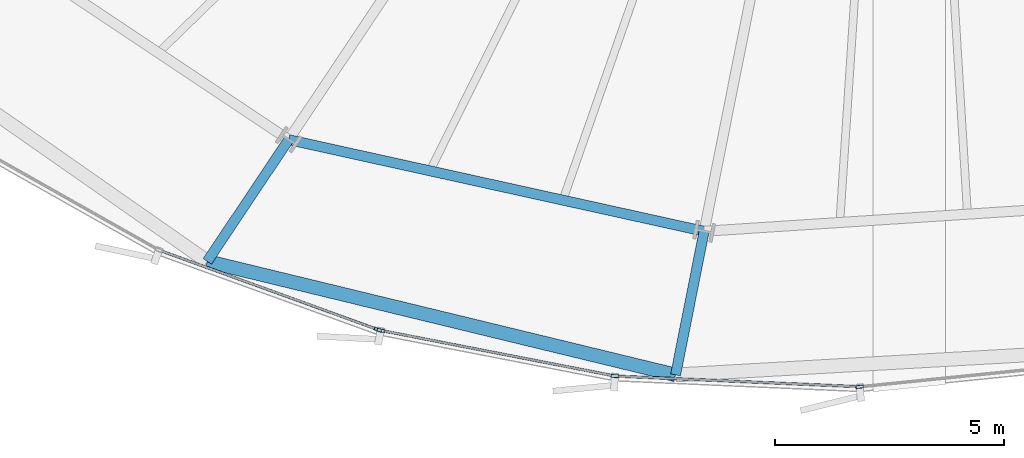
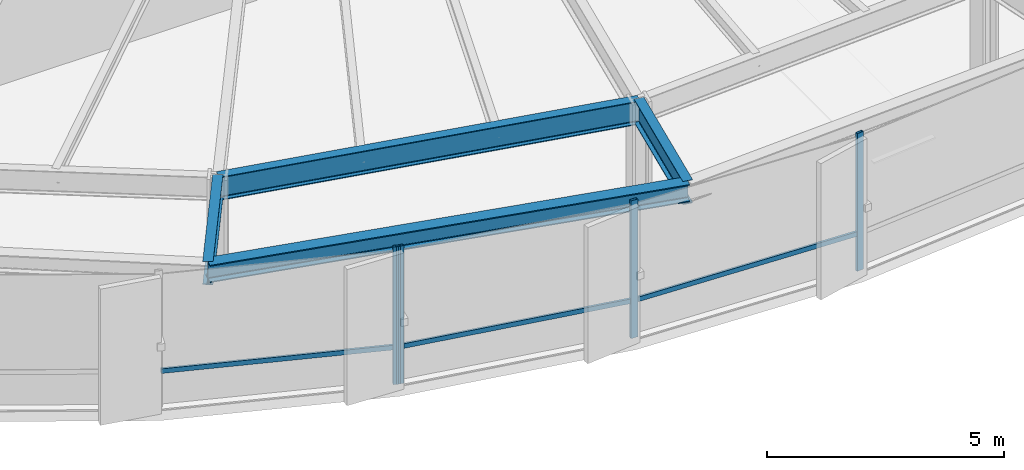
# One storey, part 4 of 35: 7 members, 4 beams, 2 elements without a shape of their own.
"""IFC4 building model written with IfcOpenShell, lengths in metres."""

from ifc_helpers import new_model, si_unit, direction, frame, origin, origin_2d, place, context, subcontext, project, spatial, hollow_rectangle, i_section, extrude, source, transform, mapped, material, layer, layer_set, material_profile, profile_set, type_object, element, aggregate, save


model = new_model("IFC4")

# Units and contexts
model_context = context("Model", 3, precision=1e-05, world=origin(), true_north=direction((0.0, 1.0)))
body_context = subcontext(model_context, "Body", "Model", "MODEL_VIEW")
ifc_project = project(units=[si_unit("LENGTHUNIT", "METRE"), si_unit("AREAUNIT", "SQUARE_METRE"), si_unit("VOLUMEUNIT", "CUBIC_METRE"), si_unit("PLANEANGLEUNIT", "RADIAN"), si_unit("MASSUNIT", "GRAM", prefix="KILO"), si_unit("THERMODYNAMICTEMPERATUREUNIT", "KELVIN")], contexts=[model_context])

# Site, building, storey
site_placement = place(None, origin())
site = spatial("IfcSite", under=ifc_project, at=site_placement, CompositionType="ELEMENT")
building_placement = place(site_placement, origin())
building = spatial("IfcBuilding", under=site, at=building_placement, Name="Kethvar Cultural Tower", CompositionType="ELEMENT")
storey_placement = place(building_placement, frame((0.0, 0.0, 71.39990234375)))
storey = spatial("IfcBuildingStorey", under=building, at=storey_placement, Name="L17", CompositionType="ELEMENT", Elevation=71.39990234375)

# Beams
ifc_material_1 = material(Name="Steel S355J2", Category="steel")
ifc_material_profile_1 = material_profile(ifc_material_1, i_section(OverallWidth=0.219970703125, OverallDepth=0.60009765625, WebThickness=0.011962890625, FlangeThickness=0.01904296875, FilletRadius=0.02392578125, at=origin_2d()), Name="Steel S355J2 — IPE600")
ifc_profile_set_1 = profile_set([ifc_material_profile_1], Name="Steel S355J2 — IPE600")
beam_type_1 = type_object("IfcBeamType", Name="BM-IPE600", PredefinedType="BEAM", material=ifc_profile_set_1)
shared_shape_1 = source(origin(), body_context, "Body", "SweptSolid", [
    extrude(i_section(OverallWidth=0.219970703125, OverallDepth=0.60009765625, WebThickness=0.011962890625, FlangeThickness=0.01904296875, FilletRadius=0.02392578125, at=origin_2d()), origin(), (0.0, 0.0, 1.0), 3.2001953125),
])
beam_1_placement = place(storey_placement, frame((42.38330078125, 5.59619140625, 3.238037109375), z_axis=(-0.195074368086, -0.980788453702, 0.0), x_axis=(0.980788453702, -0.195074368086, 0.0)))
element("IfcBeam", 1, at=beam_1_placement, inside=storey, type_object=beam_type_1, Name="L17 Perimeter Cantilever Beam RC-12", PredefinedType="BEAM", context=body_context, shape_type="MappedRepresentation", body=[
    mapped(shared_shape_1, transform((0.0, 0.0, 0.0), scale=1.0)),
])
shared_shape_2 = source(origin(), body_context, "Body", "SweptSolid", [
    extrude(i_section(OverallWidth=0.219970703125, OverallDepth=0.60009765625, WebThickness=0.011962890625, FlangeThickness=0.01904296875, FilletRadius=0.02392578125, at=origin_2d()), origin(), (0.0, 0.0, 1.0), 3.199951171875),
])
beam_2_placement = place(storey_placement, frame((33.302001953125, 7.598876953125, 3.238037109375), z_axis=(-0.555580212716, -0.831462943996, 0.0), x_axis=(0.831462943996, -0.555580212716, 0.0)))
element("IfcBeam", 2, at=beam_2_placement, inside=storey, type_object=beam_type_1, Name="L17 Perimeter Cantilever Beam RC-11", PredefinedType="BEAM", context=body_context, shape_type="MappedRepresentation", body=[
    mapped(shared_shape_2, transform((0.0, 0.0, 0.0), scale=1.0)),
])
shared_shape_3 = source(origin(), body_context, "Body", "SweptSolid", [
    extrude(i_section(OverallWidth=0.219970703125, OverallDepth=0.60009765625, WebThickness=0.011962890625, FlangeThickness=0.01904296875, FilletRadius=0.02392578125, at=origin_2d()), origin(), (0.0, 0.0, 1.0), 9.299560546875),
])
beam_3_placement = place(storey_placement, frame((33.302001953125, 7.598876953125, 3.238037109375), z_axis=(0.976536034872, -0.21535406334, 0.0), x_axis=(0.21535406334, 0.976536034872, 0.0)))
element("IfcBeam", 3, at=beam_3_placement, inside=storey, type_object=beam_type_1, Name="L17 Column Ring Tie Beam CR-11", PredefinedType="BEAM", context=body_context, shape_type="MappedRepresentation", body=[
    mapped(shared_shape_3, transform((0.0, 0.0, 0.0), scale=1.0)),
])
ifc_material_profile_2 = material_profile(ifc_material_1, i_section(OverallWidth=0.300048828125, OverallDepth=0.449951171875, WebThickness=0.013916015625, FlangeThickness=0.02587890625, FilletRadius=0.027099609375, at=origin_2d()), Name="Steel S355J2 — HEB450")
ifc_profile_set_2 = profile_set([ifc_material_profile_2], Name="Steel S355J2 — HEB450")
beam_type_2 = type_object("IfcBeamType", Name="BM-SP450", PredefinedType="SPANDREL", material=ifc_profile_set_2)
shared_shape_4 = source(origin(), body_context, "Body", "SweptSolid", [
    extrude(i_section(OverallWidth=0.300048828125, OverallDepth=0.449951171875, WebThickness=0.013916015625, FlangeThickness=0.02587890625, FilletRadius=0.027099609375, at=origin_2d()), origin(), (0.0, 0.0, 1.0), 10.53125),
])
beam_4_placement = place(storey_placement, frame((31.524169921875, 4.938232421875, 3.31298828125), z_axis=(0.971860238373, -0.235558224372, 0.0), x_axis=(0.235558224372, 0.971860238373, 0.0)))
element("IfcBeam", 4, at=beam_4_placement, inside=storey, type_object=beam_type_2, Name="L17 Perimeter Spandrel Beam SP-11", PredefinedType="SPANDREL", context=body_context, shape_type="MappedRepresentation", body=[
    mapped(shared_shape_4, transform((0.0, 0.0, 0.0), scale=1.0)),
])

# Curtain wall, member
ifc_material_2 = material(Name="Aluminium 6063-T6", Category="aluminium")
ifc_layer = layer(ifc_material_2, 0.179931640625, Name="Aluminium 6063-T6", Category="aluminium")
ifc_layer_set = layer_set([ifc_layer], Name="Aluminium 6063-T6 (180 mm)")
curtain_wall_type = type_object("IfcCurtainWallType", Name="CW-SYS-02-Z1", PredefinedType="NOTDEFINED", material=ifc_layer_set)
curtain_wall_1_placement = place(storey_placement, origin())
curtain_wall_1 = element("IfcCurtainWall", 5, at=curtain_wall_1_placement, inside=storey, type_object=curtain_wall_type, Name="L17 Curtain Wall Run 04", PredefinedType="NOTDEFINED")
ifc_material_profile_3 = material_profile(ifc_material_2, hollow_rectangle(XDim=0.06494140625, YDim=0.159912109375, WallThickness=0.0048828125, at=origin_2d()), Name="Aluminium 6063-T6 — RHS160x65x5")
ifc_profile_set_3 = profile_set([ifc_material_profile_3], Name="Aluminium 6063-T6 — RHS160x65x5")
member_type_1 = type_object("IfcMemberType", Name="CW-SYS-02-Z1-MUL", PredefinedType="MULLION", material=ifc_profile_set_3)
shared_shape_5 = source(origin(), body_context, "Body", "SweptSolid", [
    extrude(hollow_rectangle(XDim=0.06494140625, YDim=0.159912109375, WallThickness=0.0048828125, at=origin_2d()), origin(), (0.0, 0.0, 1.0), 3.5400390625),
])
member_1_placement = place(storey_placement, frame((35.25244140625, 3.447021484375, 0.0), z_axis=(0.0, 0.0, 1.0), x_axis=(0.341298410417, 0.939954996288, 0.0)))
member_1 = element("IfcMember", 6, at=member_1_placement, type_object=member_type_1, Name="CW-L17-R04 Mullion 7", PredefinedType="MULLION", context=body_context, shape_type="MappedRepresentation", body=[
    mapped(shared_shape_5, transform((0.0, 0.0, 0.0), scale=1.0)),
])

# Curtain wall, members
curtain_wall_2_placement = place(storey_placement, origin())
curtain_wall_2 = element("IfcCurtainWall", 7, at=curtain_wall_2_placement, inside=storey, type_object=curtain_wall_type, Name="L17 Curtain Wall Run 05", PredefinedType="NOTDEFINED")
member_2_placement = place(storey_placement, frame((35.315673828125, 3.4296875, 0.0), z_axis=(0.0, 0.0, 1.0), x_axis=(0.19113450478, 0.981563854817, 0.0)))
member_2 = element("IfcMember", 8, at=member_2_placement, type_object=member_type_1, Name="CW-L17-R05 Mullion 1", PredefinedType="MULLION", context=body_context, shape_type="MappedRepresentation", body=[
    mapped(shared_shape_5, transform((0.0, 0.0, 0.0), scale=1.0)),
])
member_3_placement = place(storey_placement, frame((40.43115234375, 2.43212890625, 0.0), z_axis=(0.0, 0.0, 1.0), x_axis=(0.043427583073, 0.999056577491, 0.0)))
member_3 = element("IfcMember", 9, at=member_3_placement, type_object=member_type_1, Name="CW-L17-R05 Mullion 2", PredefinedType="MULLION", context=body_context, shape_type="MappedRepresentation", body=[
    mapped(shared_shape_5, transform((0.0, 0.0, 0.0), scale=1.0)),
])
member_4_placement = place(storey_placement, frame((45.7822265625, 2.1982421875, 0.0), z_axis=(0.0, 0.0, 1.0), x_axis=(-0.101021569233, 0.994884235753, 0.0)))
member_4 = element("IfcMember", 10, at=member_4_placement, type_object=member_type_1, Name="CW-L17-R05 Mullion 3", PredefinedType="MULLION", context=body_context, shape_type="MappedRepresentation", body=[
    mapped(shared_shape_5, transform((0.0, 0.0, 0.0), scale=1.0)),
])

# Member
ifc_material_profile_4 = material_profile(ifc_material_2, hollow_rectangle(XDim=0.054931640625, YDim=0.1201171875, WallThickness=0.00390625, at=origin_2d()), Name="Aluminium 6063-T6 — RHS120x55x4")
ifc_profile_set_4 = profile_set([ifc_material_profile_4], Name="Aluminium 6063-T6 — RHS120x55x4")
member_type_2 = type_object("IfcMemberType", Name="CW-SYS-02-Z1-TRN", PredefinedType="USERDEFINED", material=ifc_profile_set_4)
shared_shape_6 = source(origin(), body_context, "Body", "SweptSolid", [
    extrude(hollow_rectangle(XDim=0.054931640625, YDim=0.1201171875, WallThickness=0.00390625, at=origin_2d()), origin(), (0.0, 0.0, 1.0), 5.03857421875),
])
member_5_placement = place(storey_placement, frame((30.51220703125, 5.168212890625, 0.9501953125), z_axis=(0.939967313154, -0.341264487167, 0.0), x_axis=(0.341264487167, 0.939967313154, 0.0)))
member_5 = element("IfcMember", 11, at=member_5_placement, type_object=member_type_2, Name="CW-L17-R04 Transom 6", ObjectType="TRANSOM", PredefinedType="USERDEFINED", context=body_context, shape_type="MappedRepresentation", body=[
    mapped(shared_shape_6, transform((0.0, 0.0, 0.0), scale=1.0)),
])

aggregate(curtain_wall_1, [member_1, member_5])

shared_shape_7 = source(origin(), body_context, "Body", "SweptSolid", [
    extrude(hollow_rectangle(XDim=0.054931640625, YDim=0.1201171875, WallThickness=0.00390625, at=origin_2d()), origin(), (0.0, 0.0, 1.0), 5.178466796875),
])
member_6_placement = place(storey_placement, frame((35.320068359375, 3.4287109375, 0.9501953125), z_axis=(0.981565301268, -0.191127076433, 0.0), x_axis=(0.191127076433, 0.981565301268, 0.0)))
member_6 = element("IfcMember", 12, at=member_6_placement, type_object=member_type_2, Name="CW-L17-R05 Transom 1", ObjectType="TRANSOM", PredefinedType="USERDEFINED", context=body_context, shape_type="MappedRepresentation", body=[
    mapped(shared_shape_7, transform((0.0, 0.0, 0.0), scale=1.0)),
])

shared_shape_8 = source(origin(), body_context, "Body", "SweptSolid", [
    extrude(hollow_rectangle(XDim=0.054931640625, YDim=0.1201171875, WallThickness=0.00390625, at=origin_2d()), origin(), (0.0, 0.0, 1.0), 5.27978515625),
])
member_7_placement = place(storey_placement, frame((40.47802734375, 2.43017578125, 0.9501953125), z_axis=(0.999054936534, -0.043465317057, 0.0), x_axis=(0.043465317057, 0.999054936534, 0.0)))
member_7 = element("IfcMember", 13, at=member_7_placement, type_object=member_type_2, Name="CW-L17-R05 Transom 2", ObjectType="TRANSOM", PredefinedType="USERDEFINED", context=body_context, shape_type="MappedRepresentation", body=[
    mapped(shared_shape_8, transform((0.0, 0.0, 0.0), scale=1.0)),
])

aggregate(curtain_wall_2, [member_2, member_3, member_4, member_6, member_7])

save(model, "model.ifc")
